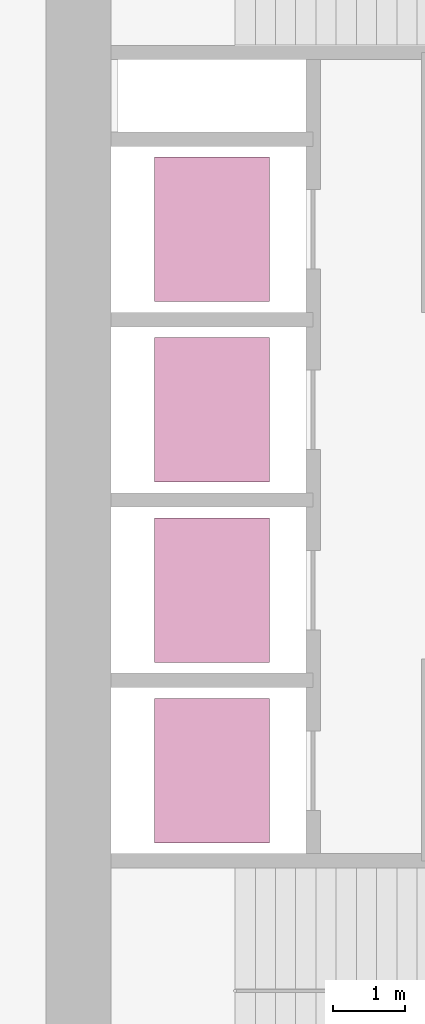
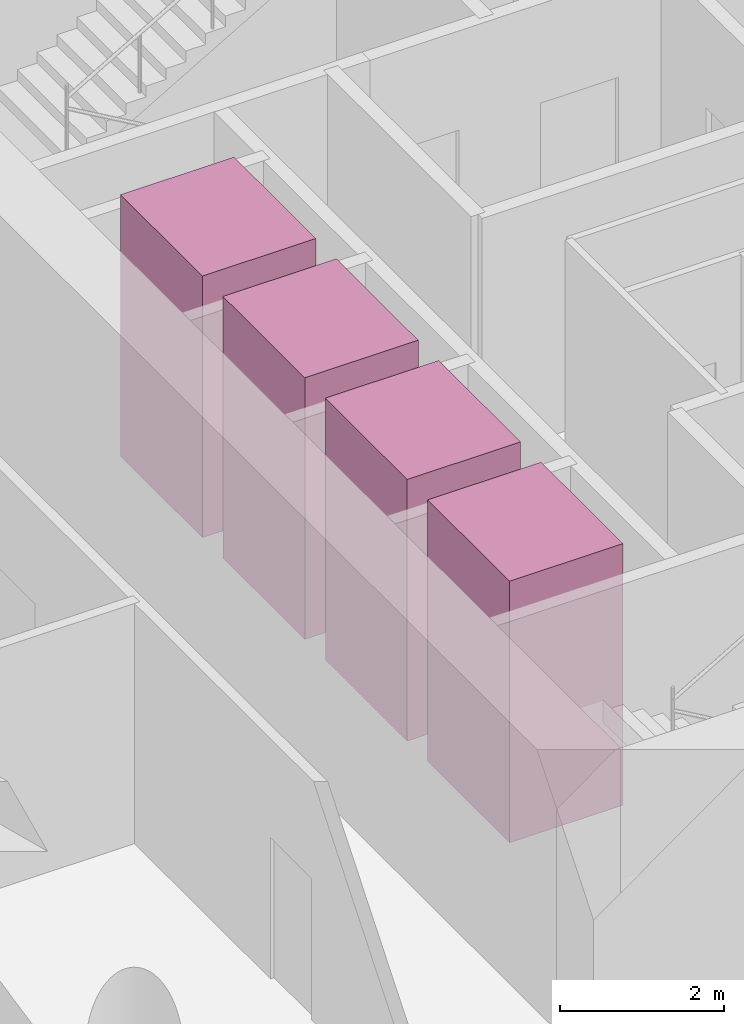
# One storey, part 10 of 10: 4 transport elements.
"""IFC4 building model written with IfcOpenShell, lengths in metres."""

from ifc_helpers import new_model, si_unit, direction, frame, origin, origin_2d, place, context, subcontext, project, spatial, rectangle, extrude, material, type_object, element, save


model = new_model("IFC4")

# Units and contexts
model_context = context("Model", 3, precision=1e-05, world=origin(), true_north=direction((0.0, 1.0)))
body_context = subcontext(model_context, "Body", "Model", "MODEL_VIEW")
ifc_project = project(units=[si_unit("LENGTHUNIT", "METRE"), si_unit("AREAUNIT", "SQUARE_METRE"), si_unit("VOLUMEUNIT", "CUBIC_METRE"), si_unit("PLANEANGLEUNIT", "RADIAN"), si_unit("MASSUNIT", "GRAM", prefix="KILO")], contexts=[model_context])

# Site, building, storey
site_placement = place(None, origin())
site = spatial("IfcSite", under=ifc_project, at=site_placement, CompositionType="ELEMENT")
building_placement = place(site_placement, origin())
building = spatial("IfcBuilding", under=site, at=building_placement, Name="Qaws Garden Tower", CompositionType="ELEMENT")
storey_placement = place(building_placement, frame((0.0, 0.0, 47.10009765625)))
storey = spatial("IfcBuildingStorey", under=building, at=storey_placement, Name="L11", CompositionType="ELEMENT", Elevation=47.10009765625)

# Transport elements
ifc_material = material(Name="Stainless steel 316", Category="steel")
transport_element_type = type_object("IfcTransportElementType", Name="Passenger lift car 2000x1600 1800 kg", PredefinedType="ELEVATOR", material=ifc_material)
for number, where, z_axis, x_axis, name in (
    (1, (10.300048828125, 13.64990234375, 0.0), (0.0, 0.0, 1.0), (1.0, 0.0, 0.0), "LR1"),
    (2, (10.300048828125, 16.14990234375, 0.0), (0.0, 0.0, 1.0), (1.0, 0.0, 0.0), "LR2"),
    (3, (10.300048828125, 18.64990234375, 0.0), (0.0, 0.0, 1.0), (1.0, 0.0, 0.0), "LR3"),
    (4, (10.300048828125, 21.14990234375, 0.0), (0.0, 0.0, 1.0), (1.0, 0.0, 0.0), "LR4"),
):
    element("IfcTransportElement", number, at=place(storey_placement, frame(where, z_axis=z_axis, x_axis=x_axis)), inside=storey, type_object=transport_element_type, Name=name, PredefinedType="ELEVATOR", context=body_context, shape_type="SweptSolid", body=[
        extrude(rectangle(XDim=1.60009765625, YDim=2.0, at=origin_2d()), origin(), (0.0, 0.0, 1.0), 3.89990234375),
    ])

save(model, "model.ifc")
